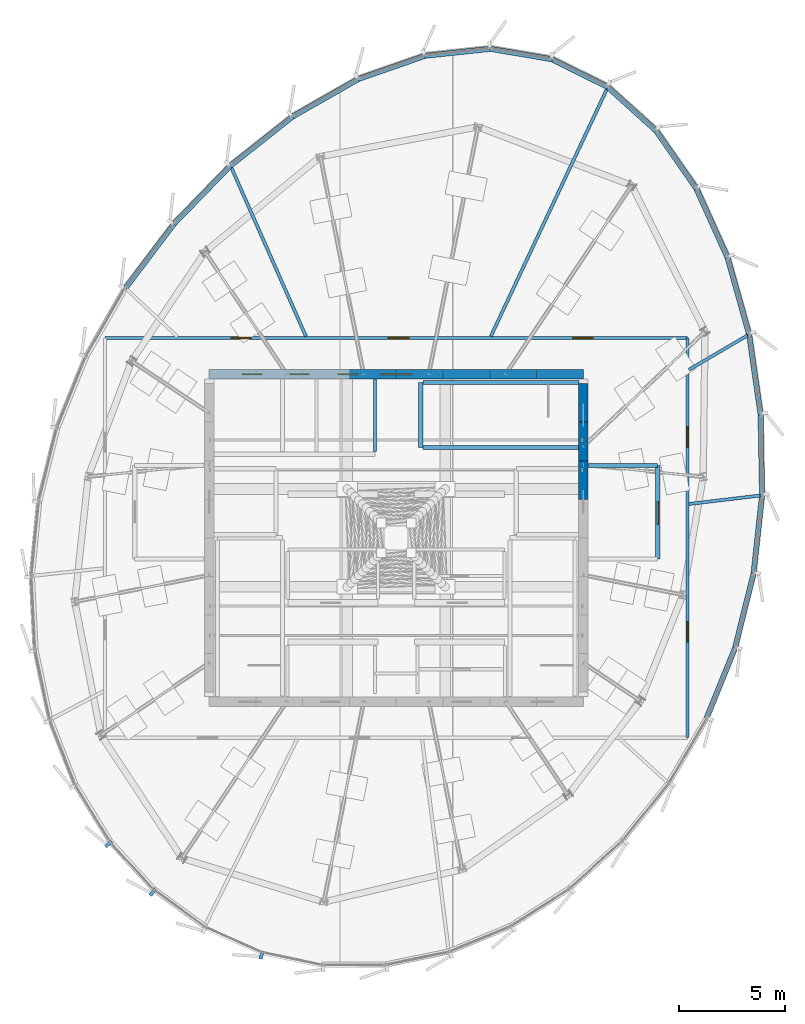
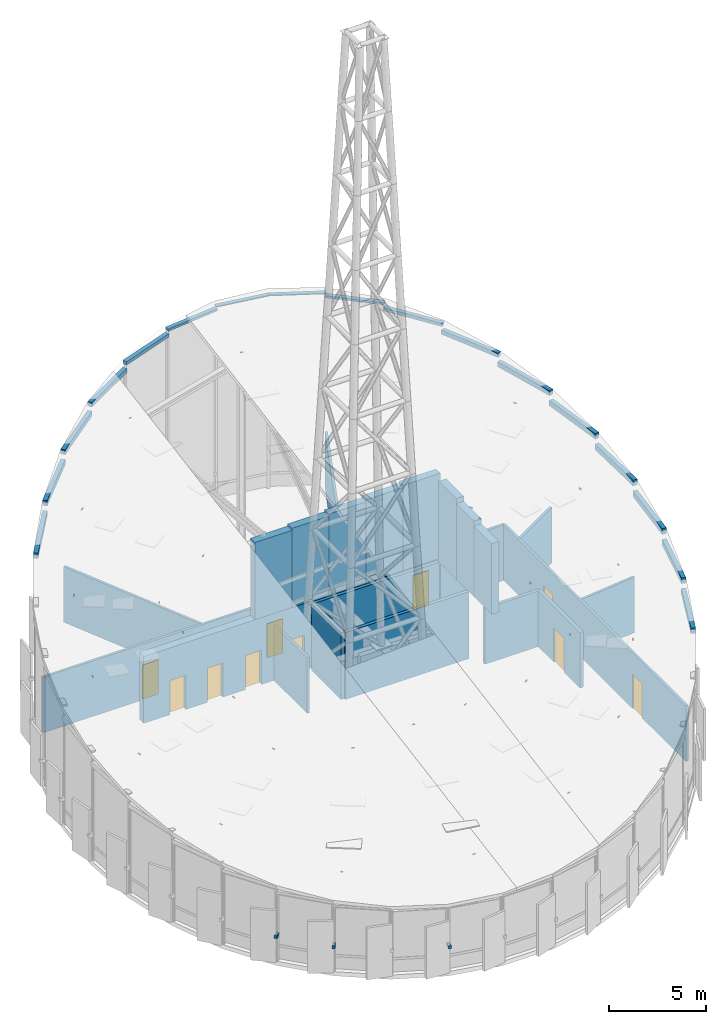
# One storey, part 34 of 36: 38 walls, 10 doors, 3 discrete accessories, 10 openings.
"""IFC4 building model written with IfcOpenShell, lengths in metres."""

import ifcopenshell
import ifcopenshell.guid

model = None  # the IFC model being written
_history = None  # IfcOwnerHistory: only IFC2X3 demands one
_inside = {}  # id of a spatial element -> (the spatial element, [elements in it])
_under = {}  # id of a project, library or spatial element -> (it, [spatial elements below it])
_declared = {}  # id of a project -> (the project, [libraries it declares])
_typed = {}  # id of a type object -> (the type object, [elements of that type])
_made_of = {}  # id of a material, layer set ... -> (it, [elements and type objects made of it])


def new_model(schema):
    """Start an empty IFC model of exactly this schema.

    Asked for "IFC4X3", IfcOpenShell would pick the latest addendum, in which some entities
    have other attributes; the version numbers below select the first issue.
    IFC2X3 requires an IfcOwnerHistory on every rooted entity: one is made here for all.
    """
    global model, _history
    if schema == "IFC4X3":
        model = ifcopenshell.file(schema_version=(4, 3, 0, 0))
    else:
        model = ifcopenshell.file(schema=schema)
    _inside.clear()
    _under.clear()
    _declared.clear()
    _typed.clear()
    _made_of.clear()
    _history = None
    if model.schema == "IFC2X3":
        org = make("IfcOrganization", Name="unknown")
        user = make(
            "IfcPersonAndOrganization",
            ThePerson=make("IfcPerson", FamilyName="unknown"),
            TheOrganization=org,
        )
        app = make(
            "IfcApplication",
            ApplicationDeveloper=org,
            Version="unknown",
            ApplicationFullName="unknown",
            ApplicationIdentifier="unknown",
        )
        _history = make(
            "IfcOwnerHistory",
            OwningUser=user,
            OwningApplication=app,
            ChangeAction="ADDED",
            CreationDate=0,
        )
    return model


def make(cls, **values):
    """One entity of the class cls with the attributes given. An attribute that is None is left unset."""
    return model.create_entity(
        cls, **{name: value for name, value in values.items() if value is not None}
    )


def rooted(cls, **values):
    """An entity with a GlobalId (a new one), such as an element, a storey or a relation."""
    return make(cls, GlobalId=ifcopenshell.guid.new(), OwnerHistory=_history, **values)


def si_unit(unit_type, name, prefix=None):
    """IfcSIUnit, for example si_unit("LENGTHUNIT", "METRE", prefix="MILLI")."""
    return make("IfcSIUnit", UnitType=unit_type, Prefix=prefix, Name=name)


def assignment(units):
    """IfcUnitAssignment: the units of a project."""
    return None if units is None else make("IfcUnitAssignment", Units=units)


def point(xyz):
    """IfcCartesianPoint."""
    return None if xyz is None else make("IfcCartesianPoint", Coordinates=xyz)


def direction(xyz):
    """IfcDirection."""
    return None if xyz is None else make("IfcDirection", DirectionRatios=xyz)


def frame(location, z_axis=None, x_axis=None):
    """IfcAxis2Placement3D, a coordinate frame: its origin and axes. An axis left out is left unset."""
    return make(
        "IfcAxis2Placement3D",
        Location=point(location),
        Axis=direction(z_axis),
        RefDirection=direction(x_axis),
    )


def frame_2d(location, x_axis=None):
    """IfcAxis2Placement2D, a coordinate frame in the plane: its origin and x axis."""
    return make(
        "IfcAxis2Placement2D", Location=point(location), RefDirection=direction(x_axis)
    )


def origin():
    """The frame at (0, 0, 0) with its axes left unset."""
    return frame((0.0, 0.0, 0.0))


def origin_2d():
    """The frame at (0, 0) in the plane with its x axis left unset."""
    return frame_2d((0.0, 0.0))


def place(relative_to, where):
    """IfcLocalPlacement: puts the frame where relative to a parent placement (None: the world)."""
    return make(
        "IfcLocalPlacement", PlacementRelTo=relative_to, RelativePlacement=where
    )


def context(
    kind, dimensions, precision=None, world=None, true_north=None, identifier=None
):
    """IfcGeometricRepresentationContext, for example the 3D "Model" context."""
    return make(
        "IfcGeometricRepresentationContext",
        ContextIdentifier=identifier,
        ContextType=kind,
        CoordinateSpaceDimension=dimensions,
        Precision=precision,
        WorldCoordinateSystem=world,
        TrueNorth=true_north,
    )


def subcontext(parent, identifier, kind, view, scale=None):
    """IfcGeometricRepresentationSubContext, for example "Body" below "Model"."""
    return make(
        "IfcGeometricRepresentationSubContext",
        ContextIdentifier=identifier,
        ContextType=kind,
        ParentContext=parent,
        TargetScale=scale,
        TargetView=view,
    )


def project(units=None, contexts=None):
    """IfcProject with its units and contexts."""
    return rooted(
        "IfcProject",
        Name="project",
        RepresentationContexts=contexts,
        UnitsInContext=assignment(units),
    )


def spatial(cls, under=None, at=None, **own):
    """A site, building, storey or space (cls), placed at a placement, below another one or the project."""
    s = rooted(cls, ObjectPlacement=at, **own)
    if under is not None:
        _under.setdefault(under.id(), (under, []))[1].append(s)
    return s


def profile(cls, at=None, kind="AREA", **sizes):
    """A parametric profile (cls). Its sizes go by their IFC names, for example OverallWidth=200.0."""
    return make(cls, ProfileType=kind, Position=at, **sizes)


def rectangle(**sizes):
    """IfcRectangleProfileDef."""
    return profile("IfcRectangleProfileDef", **sizes)


def extrude(swept, where, along, depth):
    """IfcExtrudedAreaSolid: the profile swept, set in the frame where, extruded along a direction by depth."""
    return make(
        "IfcExtrudedAreaSolid",
        SweptArea=swept,
        Position=where,
        ExtrudedDirection=direction(along),
        Depth=depth,
    )


def shape(context_of_items, identifier, shape_type, items):
    """IfcShapeRepresentation: the items that make up one representation, for example the "Body"."""
    return make(
        "IfcShapeRepresentation",
        ContextOfItems=context_of_items,
        RepresentationIdentifier=identifier,
        RepresentationType=shape_type,
        Items=items,
    )


def source(mapping_origin, context_of_items, identifier, shape_type, items):
    """IfcRepresentationMap: a shape defined once, which mapped items show again and again."""
    return make(
        "IfcRepresentationMap",
        MappingOrigin=mapping_origin,
        MappedRepresentation=shape(context_of_items, identifier, shape_type, items),
    )


def transform(
    local_origin,
    x_axis=None,
    y_axis=None,
    z_axis=None,
    scale=None,
    scale2=None,
    scale3=None,
    uniform=True,
):
    """IfcCartesianTransformationOperator3D, or its non-uniform kind. x_axis, y_axis, z_axis: its Axis1, 2, 3."""
    if uniform:
        return make(
            "IfcCartesianTransformationOperator3D",
            Axis1=direction(x_axis),
            Axis2=direction(y_axis),
            LocalOrigin=point(local_origin),
            Scale=scale,
            Axis3=direction(z_axis),
        )
    return make(
        "IfcCartesianTransformationOperator3DnonUniform",
        Axis1=direction(x_axis),
        Axis2=direction(y_axis),
        LocalOrigin=point(local_origin),
        Scale=scale,
        Axis3=direction(z_axis),
        Scale2=scale2,
        Scale3=scale3,
    )


def mapped(mapping_source, mapping_target):
    """IfcMappedItem: shows the shape of a source again, moved by a transform."""
    return make(
        "IfcMappedItem", MappingSource=mapping_source, MappingTarget=mapping_target
    )


def material(Name=None, Category=None):
    """IfcMaterial."""
    return make("IfcMaterial", Name=Name, Category=Category)


def layer(
    of_material, thickness, ventilated=None, Name=None, Category=None, Priority=None
):
    """IfcMaterialLayer: one layer of a wall or slab, of a material (None: an air gap)."""
    return make(
        "IfcMaterialLayer",
        Material=of_material,
        LayerThickness=thickness,
        IsVentilated=ventilated,
        Name=Name,
        Category=Category,
        Priority=Priority,
    )


def layer_set(layers, Name=None):
    """IfcMaterialLayerSet."""
    return make("IfcMaterialLayerSet", MaterialLayers=layers, LayerSetName=Name)


def made_of(thing, what):
    """Note that an element or type object is made of a material, layer set ...; save() writes the relation."""
    if what is not None:
        _made_of.setdefault(what.id(), (what, []))[1].append(thing)
    return thing


def type_object(cls, material=None, **own):
    """A type object (cls), such as IfcWallType, which elements share."""
    return made_of(rooted(cls, **own), material)


def element(
    cls,
    number,
    at=None,
    inside=None,
    cuts=None,
    type_object=None,
    material=None,
    context=None,
    identifier="Body",
    shape_type=None,
    held_by="IfcProductDefinitionShape",
    body=None,
    shapes=None,
    **own,
):
    """One element of the class cls, such as IfcWall. Its Tag is "e" and its number.

    at: its placement. inside: the storey or other place that contains it. cuts: it is an
    opening in that element (IfcRelVoidsElement). A single representation is given by context,
    identifier, shape_type and body (its items); several are given by shapes. held_by: the class
    of the entity that holds the representations. save() writes the other relations.
    """
    e = rooted(cls, Tag="e%d" % number, ObjectPlacement=at, **own)
    if body is not None:
        shapes = [shape(context, identifier, shape_type, body)]
    if shapes is not None:
        e.Representation = make(held_by, Representations=shapes)
    if inside is not None:
        _inside.setdefault(inside.id(), (inside, []))[1].append(e)
    if cuts is not None:
        rooted(
            "IfcRelVoidsElement", RelatingBuildingElement=cuts, RelatedOpeningElement=e
        )
    if type_object is not None:
        _typed.setdefault(type_object.id(), (type_object, []))[1].append(e)
    return made_of(e, material)


def fill(opening, filler):
    """IfcRelFillsElement: the door or window that sits in an opening."""
    return rooted(
        "IfcRelFillsElement",
        RelatingOpeningElement=opening,
        RelatedBuildingElement=filler,
    )


def aggregate(whole, parts):
    """IfcRelAggregates: a whole, such as a stair, and the parts it consists of."""
    return rooted("IfcRelAggregates", RelatingObject=whole, RelatedObjects=parts)


def save(model, path):
    """Write the relations noted so far, then the file.

    IfcRelAggregates (storeys below a building ...), IfcRelContainedInSpatialStructure (elements
    in a storey), IfcRelDefinesByType, IfcRelAssociatesMaterial and IfcRelDeclares: one each for
    every whole, place, type object, material and project.
    """
    for whole, parts in _under.values():
        aggregate(whole, parts)
    for where, things in _inside.values():
        rooted(
            "IfcRelContainedInSpatialStructure",
            RelatedElements=things,
            RelatingStructure=where,
        )
    for kind, things in _typed.values():
        rooted("IfcRelDefinesByType", RelatedObjects=things, RelatingType=kind)
    for what, things in _made_of.values():
        rooted("IfcRelAssociatesMaterial", RelatedObjects=things, RelatingMaterial=what)
    for by, libraries in _declared.values():
        rooted("IfcRelDeclares", RelatingContext=by, RelatedDefinitions=libraries)
    model.write(path)


model = new_model("IFC4")

# Units and contexts
model_context = context("Model", 3, precision=1e-05, world=origin(), true_north=direction((0.0, 1.0)))
body_context = subcontext(model_context, "Body", "Model", "MODEL_VIEW")
ifc_project = project(units=[si_unit("LENGTHUNIT", "METRE"), si_unit("AREAUNIT", "SQUARE_METRE"), si_unit("VOLUMEUNIT", "CUBIC_METRE"), si_unit("PLANEANGLEUNIT", "RADIAN"), si_unit("MASSUNIT", "GRAM", prefix="KILO"), si_unit("THERMODYNAMICTEMPERATUREUNIT", "KELVIN")], contexts=[model_context])

# Site, building, storey
site_placement = place(None, origin())
site = spatial("IfcSite", under=ifc_project, at=site_placement, CompositionType="ELEMENT")
building_placement = place(site_placement, origin())
building = spatial("IfcBuilding", under=site, at=building_placement, Name="Kethvar Cultural Tower", CompositionType="ELEMENT")
storey_placement = place(building_placement, frame((0.0, 0.0, 324.300048828125)))
storey = spatial("IfcBuildingStorey", under=building, at=storey_placement, Name="L86", CompositionType="ELEMENT", Elevation=324.300048828125)

# Wall, openings, doors
ifc_material_1 = material(Name="Concrete C50/60", Category="concrete")
ifc_layer_1 = layer(ifc_material_1, 0.449951171875, Name="Concrete C50/60", Category="concrete")
ifc_layer_set_1 = layer_set([ifc_layer_1], Name="Concrete C50/60 (450 mm)")
wall_type_1 = type_object("IfcWallType", Name="WL-CORE-450", PredefinedType="SHEAR", material=ifc_layer_set_1)
wall_1_placement = place(storey_placement, frame((55.60009765625, 35.5, 0.0), z_axis=(0.0, 0.0, 1.0), x_axis=(-1.0, 0.0, 0.0)))
wall_1 = element("IfcWall", 1, at=wall_1_placement, inside=storey, type_object=wall_type_1, Name="L86 Core Shear Wall N", PredefinedType="SHEAR", context=body_context, shape_type="SweptSolid", body=[
    extrude(rectangle(XDim=17.60009765625, YDim=0.449951171875, at=frame_2d((8.800048828125, 0.0))), origin(), (0.0, 0.0, 1.0), 4.199951171875),
])
opening_1_placement = place(wall_1_placement, frame((8.050048828125, 0.0, 0.0)))
opening_1 = element("IfcOpeningElement", 2, at=opening_1_placement, cuts=wall_1, Name="Opening D-L86-LN", PredefinedType="OPENING", context=body_context, shape_type="SweptSolid", body=[
    extrude(rectangle(XDim=1.5, YDim=2.199951171875, at=frame_2d((0.75, 1.10009765625))), frame((0.0, 0.23486328125, 0.0), z_axis=(0.0, -1.0, 0.0), x_axis=(1.0, 0.0, 0.0)), (0.0, 0.0, 1.0), 0.469970703125),
])
opening_2_placement = place(wall_1_placement, frame((15.10009765625, 0.0, 0.0)))
opening_2 = element("IfcOpeningElement", 3, at=opening_2_placement, cuts=wall_1, Name="Opening D-L86-E1", PredefinedType="OPENING", context=body_context, shape_type="SweptSolid", body=[
    extrude(rectangle(XDim=0.949951171875, YDim=2.14990234375, at=frame_2d((0.47509765625, 1.074951171875))), frame((0.0, 0.23486328125, 0.0), z_axis=(0.0, -1.0, 0.0), x_axis=(1.0, 0.0, 0.0)), (0.0, 0.0, 1.0), 0.469970703125),
])
opening_3_placement = place(wall_1_placement, frame((12.89990234375, 0.0, 0.0)))
opening_3 = element("IfcOpeningElement", 4, at=opening_3_placement, cuts=wall_1, Name="Opening D-L86-W1", PredefinedType="OPENING", context=body_context, shape_type="SweptSolid", body=[
    extrude(rectangle(XDim=0.89990234375, YDim=2.14990234375, at=frame_2d((0.449951171875, 1.074951171875))), frame((0.0, 0.23486328125, 0.0), z_axis=(0.0, -1.0, 0.0), x_axis=(1.0, 0.0, 0.0)), (0.0, 0.0, 1.0), 0.469970703125),
])
opening_4_placement = place(wall_1_placement, frame((10.60009765625, 0.0, 0.0)))
opening_4 = element("IfcOpeningElement", 5, at=opening_4_placement, cuts=wall_1, Name="Opening D-L86-W2", PredefinedType="OPENING", context=body_context, shape_type="SweptSolid", body=[
    extrude(rectangle(XDim=0.949951171875, YDim=2.14990234375, at=frame_2d((0.47509765625, 1.074951171875))), frame((0.0, 0.23486328125, 0.0), z_axis=(0.0, -1.0, 0.0), x_axis=(1.0, 0.0, 0.0)), (0.0, 0.0, 1.0), 0.469970703125),
])
ifc_material_2 = material(Name="Architectural Oak Timber", Category="wood")
door_type_1 = type_object("IfcDoorType", Name="DR-DBL-FD60-1500", OperationType="DOUBLE_DOOR_SINGLE_SWING", PredefinedType="DOOR", material=ifc_material_2)
shared_shape_1 = source(origin(), body_context, "Body", "SweptSolid", [
    extrude(rectangle(XDim=1.5, YDim=2.199951171875, at=frame_2d((0.75, 1.10009765625))), frame((0.0, 0.02490234375, 0.0), z_axis=(0.0, -1.0, 0.0), x_axis=(1.0, 0.0, 0.0)), (0.0, 0.0, 1.0), 0.050048828125),
])
door_1_placement = place(opening_1_placement, origin())
door_1 = element("IfcDoor", 6, at=door_1_placement, inside=storey, type_object=door_type_1, Name="L86 Lift Lobby Concourse Door", OperationType="DOUBLE_DOOR_SINGLE_SWING", OverallHeight=2.199951171875, OverallWidth=1.5, PredefinedType="DOOR", context=body_context, shape_type="MappedRepresentation", body=[
    mapped(shared_shape_1, transform((0.0, 0.0, 0.0), scale=1.0)),
])
fill(opening_1, door_1)
door_type_2 = type_object("IfcDoorType", Name="DR-FD30-950", OperationType="NOTDEFINED", PredefinedType="DOOR", material=ifc_material_2)
shared_shape_2 = source(origin(), body_context, "Body", "SweptSolid", [
    extrude(rectangle(XDim=0.949951171875, YDim=2.14990234375, at=frame_2d((0.47509765625, 1.074951171875))), frame((0.0, 0.02490234375, 0.0), z_axis=(0.0, -1.0, 0.0), x_axis=(1.0, 0.0, 0.0)), (0.0, 0.0, 1.0), 0.050048828125),
])
door_2_placement = place(opening_2_placement, origin())
door_2 = element("IfcDoor", 7, at=door_2_placement, inside=storey, type_object=door_type_2, Name="L86 Electrical Switchgear Door", OperationType="SINGLE_SWING_RIGHT", OverallHeight=2.14990234375, OverallWidth=0.949951171875, PredefinedType="DOOR", context=body_context, shape_type="MappedRepresentation", body=[
    mapped(shared_shape_2, transform((0.0, 0.0, 0.0), scale=1.0)),
])
fill(opening_2, door_2)
door_3_placement = place(opening_4_placement, origin())
door_3 = element("IfcDoor", 8, at=door_3_placement, inside=storey, type_object=door_type_2, Name="L86 Public Washroom Door", OperationType="SINGLE_SWING_RIGHT", OverallHeight=2.14990234375, OverallWidth=0.949951171875, PredefinedType="DOOR", context=body_context, shape_type="MappedRepresentation", body=[
    mapped(shared_shape_2, transform((0.0, 0.0, 0.0), scale=1.0)),
])
fill(opening_4, door_3)
door_type_3 = type_object("IfcDoorType", Name="DR-FD30-900", OperationType="NOTDEFINED", PredefinedType="DOOR", material=ifc_material_2)
shared_shape_3 = source(origin(), body_context, "Body", "SweptSolid", [
    extrude(rectangle(XDim=0.89990234375, YDim=2.14990234375, at=frame_2d((0.449951171875, 1.074951171875))), frame((0.0, 0.02490234375, 0.0), z_axis=(0.0, -1.0, 0.0), x_axis=(1.0, 0.0, 0.0)), (0.0, 0.0, 1.0), 0.050048828125),
])
door_4_placement = place(opening_3_placement, origin())
door_4 = element("IfcDoor", 9, at=door_4_placement, inside=storey, type_object=door_type_3, Name="L86 Accessible Washroom Door", OperationType="SINGLE_SWING_LEFT", OverallHeight=2.14990234375, OverallWidth=0.89990234375, PredefinedType="DOOR", context=body_context, shape_type="MappedRepresentation", body=[
    mapped(shared_shape_3, transform((0.0, 0.0, 0.0), scale=1.0)),
])
fill(opening_3, door_4)

# Walls
wall_2_placement = place(storey_placement, frame((55.60009765625, 35.5, 4.199951171875), z_axis=(0.0, 0.0, 1.0), x_axis=(-1.0, 0.0, 0.0)))
element("IfcWall", 10, at=wall_2_placement, inside=storey, type_object=wall_type_1, Name="L86 Crown Roof Core Bearing Stub N1", PredefinedType="SHEAR", context=body_context, shape_type="SweptSolid", body=[
    extrude(rectangle(XDim=2.2001953125, YDim=0.449951171875, at=frame_2d((1.10009765625, 0.0))), origin(), (0.0, 0.0, 1.0), 5.342041015625),
])
wall_3_placement = place(storey_placement, frame((53.39990234375, 35.5, 4.199951171875), z_axis=(0.0, 0.0, 1.0), x_axis=(-1.0, 0.0, 0.0)))
element("IfcWall", 11, at=wall_3_placement, inside=storey, type_object=wall_type_1, Name="L86 Crown Roof Core Bearing Stub N2", PredefinedType="SHEAR", context=body_context, shape_type="SweptSolid", body=[
    extrude(rectangle(XDim=2.199951171875, YDim=0.449951171875, at=frame_2d((1.10009765625, 0.0))), origin(), (0.0, 0.0, 1.0), 5.21630859375),
])
wall_4_placement = place(storey_placement, frame((51.199951171875, 35.5, 4.199951171875), z_axis=(0.0, 0.0, 1.0), x_axis=(-1.0, 0.0, 0.0)))
element("IfcWall", 12, at=wall_4_placement, inside=storey, type_object=wall_type_1, Name="L86 Crown Roof Core Bearing Stub N3", PredefinedType="SHEAR", context=body_context, shape_type="SweptSolid", body=[
    extrude(rectangle(XDim=2.199951171875, YDim=0.449951171875, at=frame_2d((1.10009765625, 0.0))), origin(), (0.0, 0.0, 1.0), 5.090576171875),
])
wall_5_placement = place(storey_placement, frame((49.0, 35.5, 4.199951171875), z_axis=(0.0, 0.0, 1.0), x_axis=(-1.0, 0.0, 0.0)))
element("IfcWall", 13, at=wall_5_placement, inside=storey, type_object=wall_type_1, Name="L86 Crown Roof Core Bearing Stub N4", PredefinedType="SHEAR", context=body_context, shape_type="SweptSolid", body=[
    extrude(rectangle(XDim=2.199951171875, YDim=0.449951171875, at=frame_2d((1.10009765625, 0.0))), origin(), (0.0, 0.0, 1.0), 4.96484375),
])
wall_6_placement = place(storey_placement, frame((46.800048828125, 35.5, 4.199951171875), z_axis=(0.0, 0.0, 1.0), x_axis=(-1.0, 0.0, 0.0)))
element("IfcWall", 14, at=wall_6_placement, inside=storey, type_object=wall_type_1, Name="L86 Crown Roof Core Bearing Stub N5", PredefinedType="SHEAR", context=body_context, shape_type="SweptSolid", body=[
    extrude(rectangle(XDim=2.199951171875, YDim=0.449951171875, at=frame_2d((1.10009765625, 0.0))), origin(), (0.0, 0.0, 1.0), 4.839111328125),
])
wall_7_placement = place(storey_placement, frame((55.60009765625, 29.612548828125, 4.199951171875), z_axis=(0.0, 0.0, 1.0), x_axis=(0.0, 1.0, 0.0)))
element("IfcWall", 15, at=wall_7_placement, inside=storey, type_object=wall_type_1, Name="L86 Crown Roof Core Bearing Stub E6", PredefinedType="SHEAR", context=body_context, shape_type="SweptSolid", body=[
    extrude(rectangle(XDim=1.8125, YDim=0.449951171875, at=frame_2d((0.90625, 0.0))), origin(), (0.0, 0.0, 1.0), 4.431884765625),
])
wall_8_placement = place(storey_placement, frame((55.60009765625, 31.425048828125, 4.199951171875), z_axis=(0.0, 0.0, 1.0), x_axis=(0.0, 1.0, 0.0)))
element("IfcWall", 16, at=wall_8_placement, inside=storey, type_object=wall_type_1, Name="L86 Crown Roof Core Bearing Stub E7", PredefinedType="SHEAR", context=body_context, shape_type="SweptSolid", body=[
    extrude(rectangle(XDim=1.8125, YDim=0.449951171875, at=frame_2d((0.90625, 0.0))), origin(), (0.0, 0.0, 1.0), 4.7509765625),
])
wall_9_placement = place(storey_placement, frame((55.60009765625, 33.237548828125, 4.199951171875), z_axis=(0.0, 0.0, 1.0), x_axis=(0.0, 1.0, 0.0)))
element("IfcWall", 17, at=wall_9_placement, inside=storey, type_object=wall_type_1, Name="L86 Crown Roof Core Bearing Stub E8", PredefinedType="SHEAR", context=body_context, shape_type="SweptSolid", body=[
    extrude(rectangle(XDim=1.8125, YDim=0.449951171875, at=frame_2d((0.90625, 0.0))), origin(), (0.0, 0.0, 1.0), 5.06982421875),
])
ifc_material_3 = material(Name="Gypsum Fireboard Partition")
ifc_layer_2 = layer(ifc_material_3, 0.14990234375, Name="Gypsum Fireboard Partition")
ifc_layer_set_2 = layer_set([ifc_layer_2], Name="Gypsum Fireboard Partition (150 mm)")
wall_type_2 = type_object("IfcWallType", Name="WL-FIRE-150", PredefinedType="PARTITIONING", material=ifc_layer_set_2)
wall_10_placement = place(storey_placement, frame((45.800048828125, 31.85009765625, 0.0), z_axis=(0.0, 0.0, 1.0), x_axis=(0.0, 1.0, 0.0)))
element("IfcWall", 18, at=wall_10_placement, inside=storey, type_object=wall_type_2, Name="L86 Sanitary Spine Wall", PredefinedType="PARTITIONING", context=body_context, shape_type="SweptSolid", body=[
    extrude(rectangle(XDim=3.414794921875, YDim=0.14990234375, at=frame_2d((1.70751953125, 0.0))), origin(), (0.0, 0.0, 1.0), 3.489990234375),
])

# Wall, openings, doors
wall_11_placement = place(storey_placement, frame((60.5, 18.39990234375, 0.0), z_axis=(0.0, 0.0, 1.0), x_axis=(0.0, 1.0, 0.0)))
wall_11 = element("IfcWall", 19, at=wall_11_placement, inside=storey, type_object=wall_type_2, Name="L86 Corridor Rated Wall E", PredefinedType="PARTITIONING", context=body_context, shape_type="SweptSolid", body=[
    extrude(rectangle(XDim=18.800048828125, YDim=0.14990234375, at=frame_2d((9.39990234375, 0.0))), origin(), (0.0, 0.0, 1.0), 3.489990234375),
])
opening_5_placement = place(wall_11_placement, frame((4.50830078125, 0.0, 0.0)))
opening_5 = element("IfcOpeningElement", 20, at=opening_5_placement, cuts=wall_11, Name="Opening D-L86-05", PredefinedType="OPENING", context=body_context, shape_type="SweptSolid", body=[
    extrude(rectangle(XDim=0.949951171875, YDim=2.14990234375, at=frame_2d((0.47509765625, 1.074951171875))), frame((0.0, 0.0849609375, 0.0), z_axis=(0.0, -1.0, 0.0), x_axis=(1.0, 0.0, 0.0)), (0.0, 0.0, 1.0), 0.169921875),
])
opening_6_placement = place(wall_11_placement, frame((13.672607421875, 0.0, 0.0)))
opening_6 = element("IfcOpeningElement", 21, at=opening_6_placement, cuts=wall_11, Name="Opening D-L86-06", PredefinedType="OPENING", context=body_context, shape_type="SweptSolid", body=[
    extrude(rectangle(XDim=0.949951171875, YDim=2.14990234375, at=frame_2d((0.47509765625, 1.074951171875))), frame((0.0, 0.0849609375, 0.0), z_axis=(0.0, -1.0, 0.0), x_axis=(1.0, 0.0, 0.0)), (0.0, 0.0, 1.0), 0.169921875),
])
door_5_placement = place(opening_5_placement, origin())
door_5 = element("IfcDoor", 22, at=door_5_placement, inside=storey, type_object=door_type_2, Name="L86 Fire Reserve Tank Plant Room 05 Door", OperationType="SINGLE_SWING_LEFT", OverallHeight=2.14990234375, OverallWidth=0.949951171875, PredefinedType="DOOR", context=body_context, shape_type="MappedRepresentation", body=[
    mapped(shared_shape_2, transform((0.0, 0.0, 0.0), scale=1.0)),
])
fill(opening_5, door_5)
door_6_placement = place(opening_6_placement, origin())
door_6 = element("IfcDoor", 23, at=door_6_placement, inside=storey, type_object=door_type_2, Name="L86 Facade BMU Mechanical Plant Room 06 Door", OperationType="SINGLE_SWING_RIGHT", OverallHeight=2.14990234375, OverallWidth=0.949951171875, PredefinedType="DOOR", context=body_context, shape_type="MappedRepresentation", body=[
    mapped(shared_shape_2, transform((0.0, 0.0, 0.0), scale=1.0)),
])
fill(opening_6, door_6)

wall_12_placement = place(storey_placement, frame((60.5, 37.199951171875, 0.0), z_axis=(0.0, 0.0, 1.0), x_axis=(-1.0, 0.0, 0.0)))
wall_12 = element("IfcWall", 24, at=wall_12_placement, inside=storey, type_object=wall_type_2, Name="L86 Corridor Rated Wall N", PredefinedType="PARTITIONING", context=body_context, shape_type="SweptSolid", body=[
    extrude(rectangle(XDim=27.39990234375, YDim=0.14990234375, at=frame_2d((13.699951171875, 0.0))), origin(), (0.0, 0.0, 1.0), 3.489990234375),
])
opening_7_placement = place(wall_12_placement, frame((4.457763671875, 0.0, 0.0)))
opening_7 = element("IfcOpeningElement", 25, at=opening_7_placement, cuts=wall_12, Name="Opening D-L86-07", PredefinedType="OPENING", context=body_context, shape_type="SweptSolid", body=[
    extrude(rectangle(XDim=0.949951171875, YDim=2.14990234375, at=frame_2d((0.47509765625, 1.074951171875))), frame((0.0, 0.0849609375, 0.0), z_axis=(0.0, -1.0, 0.0), x_axis=(1.0, 0.0, 0.0)), (0.0, 0.0, 1.0), 0.169921875),
])
opening_8_placement = place(wall_12_placement, frame((13.122314453125, 0.0, 0.0)))
opening_8 = element("IfcOpeningElement", 26, at=opening_8_placement, cuts=wall_12, Name="Opening D-L86-08", PredefinedType="OPENING", context=body_context, shape_type="SweptSolid", body=[
    extrude(rectangle(XDim=0.949951171875, YDim=2.14990234375, at=frame_2d((0.47509765625, 1.074951171875))), frame((0.0, 0.0849609375, 0.0), z_axis=(0.0, -1.0, 0.0), x_axis=(1.0, 0.0, 0.0)), (0.0, 0.0, 1.0), 0.169921875),
])
opening_9_placement = place(wall_12_placement, frame((20.509521484375, 0.0, 0.0)))
opening_9 = element("IfcOpeningElement", 27, at=opening_9_placement, cuts=wall_12, Name="Opening D-L86-09", PredefinedType="OPENING", context=body_context, shape_type="SweptSolid", body=[
    extrude(rectangle(XDim=0.949951171875, YDim=2.14990234375, at=frame_2d((0.47509765625, 1.074951171875))), frame((0.0, 0.0849609375, 0.0), z_axis=(0.0, -1.0, 0.0), x_axis=(1.0, 0.0, 0.0)), (0.0, 0.0, 1.0), 0.169921875),
])
door_7_placement = place(opening_7_placement, origin())
door_7 = element("IfcDoor", 28, at=door_7_placement, inside=storey, type_object=door_type_2, Name="L86 Cooling Tower Pump Plant Room 07 Door", OperationType="SINGLE_SWING_LEFT", OverallHeight=2.14990234375, OverallWidth=0.949951171875, PredefinedType="DOOR", context=body_context, shape_type="MappedRepresentation", body=[
    mapped(shared_shape_2, transform((0.0, 0.0, 0.0), scale=1.0)),
])
fill(opening_7, door_7)
door_8_placement = place(opening_8_placement, origin())
door_8 = element("IfcDoor", 29, at=door_8_placement, inside=storey, type_object=door_type_2, Name="L86 Emergency UPS Plant Room 08 Door", OperationType="SINGLE_SWING_RIGHT", OverallHeight=2.14990234375, OverallWidth=0.949951171875, PredefinedType="DOOR", context=body_context, shape_type="MappedRepresentation", body=[
    mapped(shared_shape_2, transform((0.0, 0.0, 0.0), scale=1.0)),
])
fill(opening_8, door_8)
door_9_placement = place(opening_9_placement, origin())
door_9 = element("IfcDoor", 30, at=door_9_placement, inside=storey, type_object=door_type_2, Name="L86 Smoke Extract Mechanical Plant Room 09 Door", OperationType="SINGLE_SWING_LEFT", OverallHeight=2.14990234375, OverallWidth=0.949951171875, PredefinedType="DOOR", context=body_context, shape_type="MappedRepresentation", body=[
    mapped(shared_shape_2, transform((0.0, 0.0, 0.0), scale=1.0)),
])
fill(opening_9, door_9)

# Walls
wall_13_placement = place(storey_placement, frame((60.579345703125, 29.393798828125, 0.0), z_axis=(0.0, 0.0, 1.0), x_axis=(0.992996182228, 0.118146443373, 0.0)))
element("IfcWall", 31, at=wall_13_placement, inside=storey, type_object=wall_type_2, Name="L86 Radial Partition Wall 06", PredefinedType="PARTITIONING", context=body_context, shape_type="SweptSolid", body=[
    extrude(rectangle(XDim=3.3642578125, YDim=0.14990234375, at=frame_2d((1.68212890625, 0.0))), origin(), (0.0, 0.0, 1.0), 3.489990234375),
])
wall_14_placement = place(storey_placement, frame((60.569091796875, 35.7080078125, 0.0), z_axis=(0.0, 0.0, 1.0), x_axis=(0.862817602566, 0.505515365446, 0.0)))
element("IfcWall", 32, at=wall_14_placement, inside=storey, type_object=wall_type_2, Name="L86 Radial Partition Wall 07", PredefinedType="PARTITIONING", context=body_context, shape_type="SweptSolid", body=[
    extrude(rectangle(XDim=3.1923828125, YDim=0.14990234375, at=frame_2d((1.59619140625, 0.0))), origin(), (0.0, 0.0, 1.0), 3.489990234375),
])
wall_15_placement = place(storey_placement, frame((51.248046875, 37.2724609375, 0.0), z_axis=(0.0, 0.0, 1.0), x_axis=(0.424864941596, 0.905256748885, 0.0)))
element("IfcWall", 33, at=wall_15_placement, inside=storey, type_object=wall_type_2, Name="L86 Radial Partition Wall 08", PredefinedType="PARTITIONING", context=body_context, shape_type="SweptSolid", body=[
    extrude(rectangle(XDim=12.869384765625, YDim=0.14990234375, at=frame_2d((6.4345703125, 0.0))), origin(), (0.0, 0.0, 1.0), 3.489990234375),
])
wall_16_placement = place(storey_placement, frame((42.556396484375, 37.273193359375, 0.0), z_axis=(0.0, 0.0, 1.0), x_axis=(-0.404280205645, 0.914635181547, 0.0)))
element("IfcWall", 34, at=wall_16_placement, inside=storey, type_object=wall_type_2, Name="L86 Radial Partition Wall 09", PredefinedType="PARTITIONING", context=body_context, shape_type="SweptSolid", body=[
    extrude(rectangle(XDim=8.6953125, YDim=0.14990234375, at=frame_2d((4.34765625, 0.0))), origin(), (0.0, 0.0, 1.0), 3.489990234375),
])

# Wall, opening, door
ifc_material_4 = material(Name="Concrete C40/50", Category="concrete")
ifc_layer_3 = layer(ifc_material_4, 0.199951171875, Name="Concrete C40/50", Category="concrete")
ifc_layer_set_3 = layer_set([ifc_layer_3], Name="Concrete C40/50 (200 mm)")
wall_type_3 = type_object("IfcWallType", Name="WL-FIRE-200", PredefinedType="PARTITIONING", material=ifc_layer_set_3)
wall_17_placement = place(storey_placement, frame((59.10009765625, 26.800048828125, 0.0), z_axis=(0.0, 0.0, 1.0), x_axis=(0.0, 1.0, 0.0)))
wall_17 = element("IfcWall", 35, at=wall_17_placement, inside=storey, type_object=wall_type_3, Name="L86 Firefighting Lobby 2 Wall", PredefinedType="PARTITIONING", context=body_context, shape_type="SweptSolid", body=[
    extrude(rectangle(XDim=4.39990234375, YDim=0.199951171875, at=frame_2d((2.199951171875, 0.0))), origin(), (0.0, 0.0, 1.0), 3.489990234375),
])
opening_10_placement = place(wall_17_placement, frame((1.64990234375, 0.0, 0.0)))
opening_10 = element("IfcOpeningElement", 36, at=opening_10_placement, cuts=wall_17, Name="Opening D-L86-F2", PredefinedType="OPENING", context=body_context, shape_type="SweptSolid", body=[
    extrude(rectangle(XDim=1.050048828125, YDim=2.14990234375, at=frame_2d((0.52490234375, 1.074951171875))), frame((0.0, 0.10986328125, 0.0), z_axis=(0.0, -1.0, 0.0), x_axis=(1.0, 0.0, 0.0)), (0.0, 0.0, 1.0), 0.219970703125),
])
ifc_material_5 = material(Name="Steel S355J2", Category="steel")
door_type_4 = type_object("IfcDoorType", Name="DR-FD60-1050", OperationType="NOTDEFINED", PredefinedType="DOOR", material=ifc_material_5)
shared_shape_4 = source(origin(), body_context, "Body", "SweptSolid", [
    extrude(rectangle(XDim=1.050048828125, YDim=2.14990234375, at=frame_2d((0.52490234375, 1.074951171875))), frame((0.0, 0.02490234375, 0.0), z_axis=(0.0, -1.0, 0.0), x_axis=(1.0, 0.0, 0.0)), (0.0, 0.0, 1.0), 0.050048828125),
])
door_10_placement = place(opening_10_placement, origin())
door_10 = element("IfcDoor", 37, at=door_10_placement, inside=storey, type_object=door_type_4, Name="L86 Firefighting Lobby 2 Fire Door", OperationType="SINGLE_SWING_LEFT", OverallHeight=2.14990234375, OverallWidth=1.050048828125, PredefinedType="DOOR", context=body_context, shape_type="MappedRepresentation", body=[
    mapped(shared_shape_4, transform((0.0, 0.0, 0.0), scale=1.0)),
])
fill(opening_10, door_10)

# Walls
wall_18_placement = place(storey_placement, frame((55.8349609375, 31.199951171875, 0.0), z_axis=(0.0, 0.0, 1.0), x_axis=(1.0, 0.0, 0.0)))
element("IfcWall", 38, at=wall_18_placement, inside=storey, type_object=wall_type_3, Name="L86 FF Lobby 2 North Wall", PredefinedType="PARTITIONING", context=body_context, shape_type="SweptSolid", body=[
    extrude(rectangle(XDim=3.26513671875, YDim=0.199951171875, at=frame_2d((1.632568359375, 0.0))), origin(), (0.0, 0.0, 1.0), 3.489990234375),
])
ifc_material_6 = material(Name="Precast concrete C40/50", Category="concrete")
ifc_layer_4 = layer(ifc_material_6, 0.25, Name="Precast concrete C40/50", Category="concrete")
ifc_layer_set_4 = layer_set([ifc_layer_4], Name="Precast concrete C40/50 (250 mm)")
wall_type_4 = type_object("IfcWallType", Name="WL-PARAPET-250", PredefinedType="PARAPET", material=ifc_layer_set_4)
wall_19_placement = place(storey_placement, frame((54.1357421875, 50.310791015625, 12.135498046875), z_axis=(0.0, 0.0, 1.0), x_axis=(-0.985999627686, 0.166747516335, 0.0)))
element("IfcWall", 39, at=wall_19_placement, inside=storey, type_object=wall_type_4, Name="Crown Sloped Eave Spandrel Wall FS-01", PredefinedType="PARAPET", context=body_context, shape_type="SweptSolid", body=[
    extrude(rectangle(XDim=2.96630859375, YDim=0.25, at=frame_2d((1.483154296875, 0.0))), origin(), (0.0, 0.0, 1.0), 0.06005859375),
])
wall_20_placement = place(storey_placement, frame((51.2490234375, 50.80419921875, 11.900390625), z_axis=(0.0, 0.0, 1.0), x_axis=(-0.994398903958, -0.105692099073, 0.0)))
element("IfcWall", 40, at=wall_20_placement, inside=storey, type_object=wall_type_4, Name="Crown Sloped Eave Spandrel Wall FS-02", PredefinedType="PARAPET", context=body_context, shape_type="SweptSolid", body=[
    extrude(rectangle(XDim=3.115966796875, YDim=0.25, at=frame_2d((1.55810546875, 0.0))), origin(), (0.0, 0.0, 1.0), 0.137451171875),
])
wall_21_placement = place(storey_placement, frame((48.181396484375, 50.48193359375, 11.52587890625), z_axis=(0.0, 0.0, 1.0), x_axis=(-0.944531198591, -0.328421702827, 0.0)))
element("IfcWall", 41, at=wall_21_placement, inside=storey, type_object=wall_type_4, Name="Crown Sloped Eave Spandrel Wall FS-03", PredefinedType="PARAPET", context=body_context, shape_type="SweptSolid", body=[
    extrude(rectangle(XDim=3.350341796875, YDim=0.25, at=frame_2d((1.67529296875, 0.0))), origin(), (0.0, 0.0, 1.0), 0.207275390625),
])
wall_22_placement = place(storey_placement, frame((45.040283203125, 49.39208984375, 11.035400390625), z_axis=(0.0, 0.0, 1.0), x_axis=(-0.86872891794, -0.495287862898, 0.0)))
element("IfcWall", 42, at=wall_22_placement, inside=storey, type_object=wall_type_4, Name="Crown Sloped Eave Spandrel Wall FS-04", PredefinedType="PARAPET", context=body_context, shape_type="SweptSolid", body=[
    extrude(rectangle(XDim=3.58447265625, YDim=0.25, at=frame_2d((1.792236328125, 0.0))), origin(), (0.0, 0.0, 1.0), 0.26513671875),
])
wall_23_placement = place(storey_placement, frame((41.943603515625, 47.62841796875, 10.45751953125), z_axis=(0.0, 0.0, 1.0), x_axis=(-0.784641383656, -0.619949916569, 0.0)))
element("IfcWall", 43, at=wall_23_placement, inside=storey, type_object=wall_type_4, Name="Crown Sloped Eave Spandrel Wall FS-05", PredefinedType="PARAPET", context=body_context, shape_type="SweptSolid", body=[
    extrude(rectangle(XDim=3.7548828125, YDim=0.25, at=frame_2d((1.87744140625, 0.0))), origin(), (0.0, 0.0, 1.0), 0.308837890625),
])
wall_24_placement = place(storey_placement, frame((39.0107421875, 45.31298828125, 9.821533203125), z_axis=(0.0, 0.0, 1.0), x_axis=(-0.69680348459, -0.717262088684, 0.0)))
element("IfcWall", 44, at=wall_24_placement, inside=storey, type_object=wall_type_4, Name="Crown Sloped Eave Spandrel Wall FS-06", PredefinedType="PARAPET", context=body_context, shape_type="SweptSolid", body=[
    extrude(rectangle(XDim=3.83056640625, YDim=0.25, at=frame_2d((1.915283203125, 0.0))), origin(), (0.0, 0.0, 1.0), 0.337890625),
])
wall_25_placement = place(storey_placement, frame((36.352783203125, 42.57861328125, 9.15478515625), z_axis=(0.0, 0.0, 1.0), x_axis=(-0.602630134159, -0.798020627179, 0.0)))
element("IfcWall", 45, at=wall_25_placement, inside=storey, type_object=wall_type_4, Name="Crown Sloped Eave Spandrel Wall FS-07", PredefinedType="PARAPET", context=body_context, shape_type="SweptSolid", body=[
    extrude(rectangle(XDim=3.812255859375, YDim=0.25, at=frame_2d((1.90625, 0.0))), origin(), (0.0, 0.0, 1.0), 0.353271484375),
])
wall_26_placement = place(storey_placement, frame((61.391845703125, 19.305419921875, 7.147705078125), z_axis=(0.0, 0.0, 1.0), x_axis=(0.376252965599, 0.926516975494, 0.0)))
element("IfcWall", 46, at=wall_26_placement, inside=storey, type_object=wall_type_4, Name="Crown Sloped Eave Spandrel Wall FS-27", PredefinedType="PARAPET", context=body_context, shape_type="SweptSolid", body=[
    extrude(rectangle(XDim=3.5888671875, YDim=0.25, at=frame_2d((1.79443359375, 0.0))), origin(), (0.0, 0.0, 1.0), 0.35107421875),
])
wall_27_placement = place(storey_placement, frame((62.736083984375, 22.611572265625, 7.81005859375), z_axis=(0.0, 0.0, 1.0), x_axis=(0.240920629771, 0.970544821299, 0.0)))
element("IfcWall", 47, at=wall_27_placement, inside=storey, type_object=wall_type_4, Name="Crown Sloped Eave Spandrel Wall FS-28", PredefinedType="PARAPET", context=body_context, shape_type="SweptSolid", body=[
    extrude(rectangle(XDim=3.62890625, YDim=0.25, at=frame_2d((1.814453125, 0.0))), origin(), (0.0, 0.0, 1.0), 0.354736328125),
])
wall_28_placement = place(storey_placement, frame((63.607177734375, 26.114990234375, 8.479736328125), z_axis=(0.0, 0.0, 1.0), x_axis=(0.107980393633, 0.99415302373, 0.0)))
element("IfcWall", 48, at=wall_28_placement, inside=storey, type_object=wall_type_4, Name="Crown Sloped Eave Spandrel Wall FS-29", PredefinedType="PARAPET", context=body_context, shape_type="SweptSolid", body=[
    extrude(rectangle(XDim=3.728271484375, YDim=0.25, at=frame_2d((1.8642578125, 0.0))), origin(), (0.0, 0.0, 1.0), 0.357421875),
])
wall_29_placement = place(storey_placement, frame((64.009033203125, 29.803955078125, 9.15478515625), z_axis=(0.0, 0.0, 1.0), x_axis=(-0.018444210135, 0.999829891088, 0.0)))
element("IfcWall", 49, at=wall_29_placement, inside=storey, type_object=wall_type_4, Name="Crown Sloped Eave Spandrel Wall FS-30", PredefinedType="PARAPET", context=body_context, shape_type="SweptSolid", body=[
    extrude(rectangle(XDim=3.812255859375, YDim=0.25, at=frame_2d((1.90625, 0.0))), origin(), (0.0, 0.0, 1.0), 0.353271484375),
])
wall_30_placement = place(storey_placement, frame((63.93994140625, 33.598388671875, 9.821533203125), z_axis=(0.0, 0.0, 1.0), x_axis=(-0.142135182267, 0.989847255874, 0.0)))
element("IfcWall", 50, at=wall_30_placement, inside=storey, type_object=wall_type_4, Name="Crown Sloped Eave Spandrel Wall FS-31", PredefinedType="PARAPET", context=body_context, shape_type="SweptSolid", body=[
    extrude(rectangle(XDim=3.830322265625, YDim=0.25, at=frame_2d((1.9150390625, 0.0))), origin(), (0.0, 0.0, 1.0), 0.337890625),
])
wall_31_placement = place(storey_placement, frame((63.399169921875, 37.371826171875, 10.45751953125), z_axis=(0.0, 0.0, 1.0), x_axis=(-0.270399124289, 0.962748312688, 0.0)))
element("IfcWall", 51, at=wall_31_placement, inside=storey, type_object=wall_type_4, Name="Crown Sloped Eave Spandrel Wall FS-32", PredefinedType="PARAPET", context=body_context, shape_type="SweptSolid", body=[
    extrude(rectangle(XDim=3.755126953125, YDim=0.25, at=frame_2d((1.87744140625, 0.0))), origin(), (0.0, 0.0, 1.0), 0.308837890625),
])
wall_32_placement = place(storey_placement, frame((62.390869140625, 40.96728515625, 11.035400390625), z_axis=(0.0, 0.0, 1.0), x_axis=(-0.411641466658, 0.911345874478, 0.0)))
element("IfcWall", 52, at=wall_32_placement, inside=storey, type_object=wall_type_4, Name="Crown Sloped Eave Spandrel Wall FS-33", PredefinedType="PARAPET", context=body_context, shape_type="SweptSolid", body=[
    extrude(rectangle(XDim=3.584716796875, YDim=0.25, at=frame_2d((1.79248046875, 0.0))), origin(), (0.0, 0.0, 1.0), 0.26513671875),
])
wall_33_placement = place(storey_placement, frame((60.927978515625, 44.2119140625, 11.52587890625), z_axis=(0.0, 0.0, 1.0), x_axis=(-0.571171238623, 0.82083093032, 0.0)))
element("IfcWall", 53, at=wall_33_placement, inside=storey, type_object=wall_type_4, Name="Crown Sloped Eave Spandrel Wall FS-34", PredefinedType="PARAPET", context=body_context, shape_type="SweptSolid", body=[
    extrude(rectangle(XDim=3.350341796875, YDim=0.25, at=frame_2d((1.67529296875, 0.0))), origin(), (0.0, 0.0, 1.0), 0.207275390625),
])
wall_34_placement = place(storey_placement, frame((59.035400390625, 46.93798828125, 11.900390625), z_axis=(0.0, 0.0, 1.0), x_axis=(-0.742338940016, 0.670024550398, 0.0)))
element("IfcWall", 54, at=wall_34_placement, inside=storey, type_object=wall_type_4, Name="Crown Sloped Eave Spandrel Wall FS-35", PredefinedType="PARAPET", context=body_context, shape_type="SweptSolid", body=[
    extrude(rectangle(XDim=3.1162109375, YDim=0.25, at=frame_2d((1.55810546875, 0.0))), origin(), (0.0, 0.0, 1.0), 0.137451171875),
])
wall_35_placement = place(storey_placement, frame((56.753662109375, 49.00439453125, 12.135498046875), z_axis=(0.0, 0.0, 1.0), x_axis=(-0.895723826452, 0.444610871129, 0.0)))
element("IfcWall", 55, at=wall_35_placement, inside=storey, type_object=wall_type_4, Name="Crown Sloped Eave Spandrel Wall FS-36", PredefinedType="PARAPET", context=body_context, shape_type="SweptSolid", body=[
    extrude(rectangle(XDim=2.96630859375, YDim=0.25, at=frame_2d((1.483154296875, 0.0))), origin(), (0.0, 0.0, 1.0), 0.06005859375),
])
ifc_layer_5 = layer(ifc_material_1, 0.199951171875, Name="Concrete C50/60", Category="concrete")
ifc_layer_set_5 = layer_set([ifc_layer_5], Name="Concrete C50/60 (200 mm)")
wall_type_5 = type_object("IfcWallType", Name="WL-STSHAFT-200", PredefinedType="SHEAR", material=ifc_layer_set_5)
wall_36_placement = place(storey_placement, frame((47.949951171875, 32.050048828125, 0.0), z_axis=(0.0, 0.0, 1.0), x_axis=(0.0, 1.0, 0.0)))
element("IfcWall", 56, at=wall_36_placement, inside=storey, type_object=wall_type_5, Name="L86 ST-03 Stair Shaft Wall FAR", PredefinedType="SHEAR", context=body_context, shape_type="SweptSolid", body=[
    extrude(rectangle(XDim=3.06005859375, YDim=0.199951171875, at=frame_2d((1.530029296875, 0.0))), origin(), (0.0, 0.0, 1.0), 4.199951171875),
])
for number, where, z_axis, x_axis, name in (
    (57, (48.050048828125, 35.110107421875, 0.0), (0.0, 0.0, 1.0), (1.0, 0.0, 0.0), "L86 ST-03 Stair Shaft Wall LEFT"),
    (58, (55.39990234375, 32.050048828125, 0.0), (0.0, 0.0, 1.0), (-1.0, 0.0, 0.0), "L86 ST-03 Stair Shaft Wall RIGHT"),
):
    element("IfcWall", number, at=place(storey_placement, frame(where, z_axis=z_axis, x_axis=x_axis)), inside=storey, type_object=wall_type_5, Name=name, PredefinedType="SHEAR", context=body_context, shape_type="SweptSolid", body=[
        extrude(rectangle(XDim=7.349853515625, YDim=0.199951171875, at=frame_2d((3.6748046875, 0.0))), origin(), (0.0, 0.0, 1.0), 4.199951171875),
    ])

# Discrete accessories
discrete_accessory_type = type_object("IfcDiscreteAccessoryType", Name="Steel Fin Bracket BRK-01", PredefinedType="BRACKET", material=ifc_material_5)
shared_shape_5 = source(origin(), body_context, "Body", "SweptSolid", [
    extrude(rectangle(XDim=0.3798828125, YDim=0.159912109375, at=origin_2d()), origin(), (0.0, 0.0, 1.0), 0.179931640625),
])
for number, where, z_axis, x_axis, name in (
    (59, (33.268310546875, 13.39453125, 1.55517578125), (0.0, 0.0, 1.0), (-0.738808303288, -0.673915640857, 0.0), "L86 Terracotta Fin Bracket 16.1"),
    (60, (35.34521484375, 11.130126953125, 1.55517578125), (0.0, 0.0, 1.0), (-0.589196357353, -0.807989883898, 0.0), "L86 Terracotta Fin Bracket 17.1"),
    (61, (40.46923828125, 8.17626953125, 1.55517578125), (0.0, 0.0, 1.0), (-0.206374964291, -0.978472980779, 0.0), "L86 Terracotta Fin Bracket 19.1"),
):
    element("IfcDiscreteAccessory", number, at=place(storey_placement, frame(where, z_axis=z_axis, x_axis=x_axis)), inside=storey, type_object=discrete_accessory_type, Name=name, PredefinedType="BRACKET", context=body_context, shape_type="MappedRepresentation", body=[
        mapped(shared_shape_5, transform((0.0, 0.0, 0.0), scale=1.0)),
    ])

save(model, "model.ifc")
